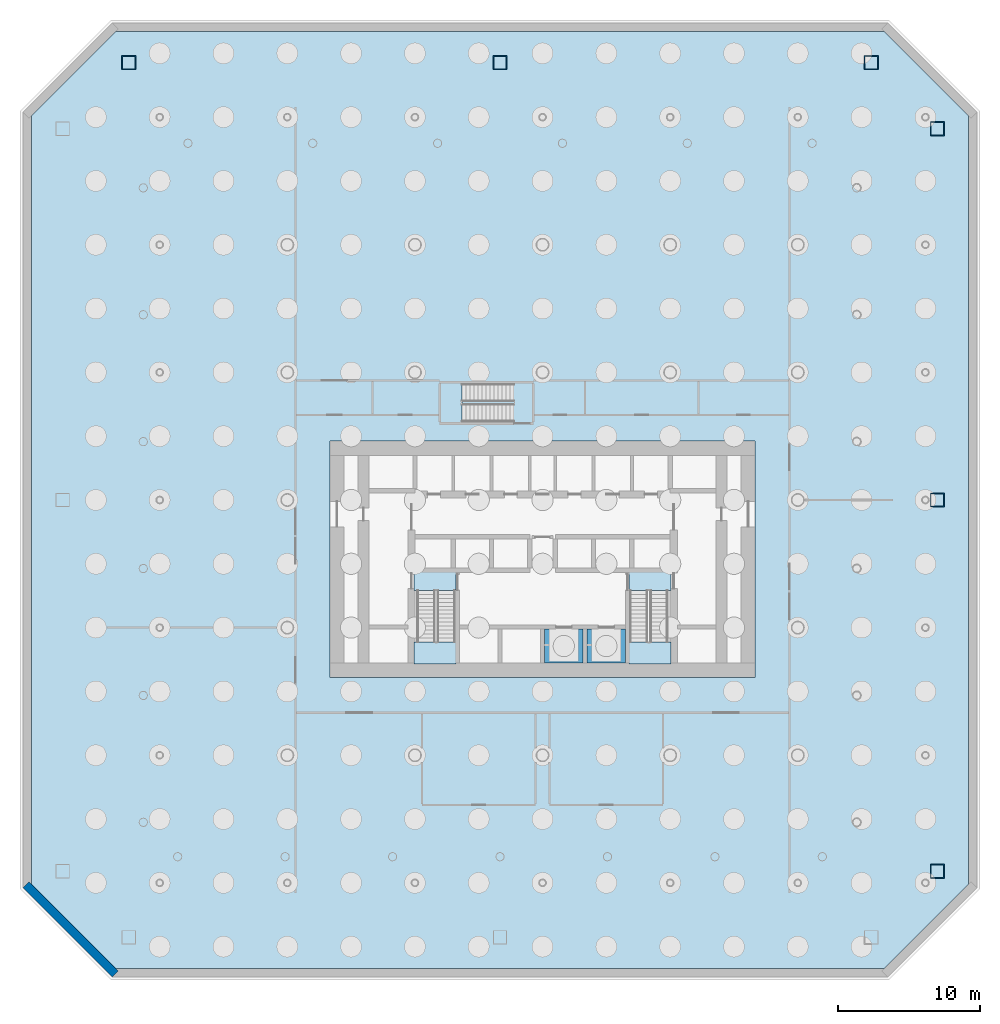
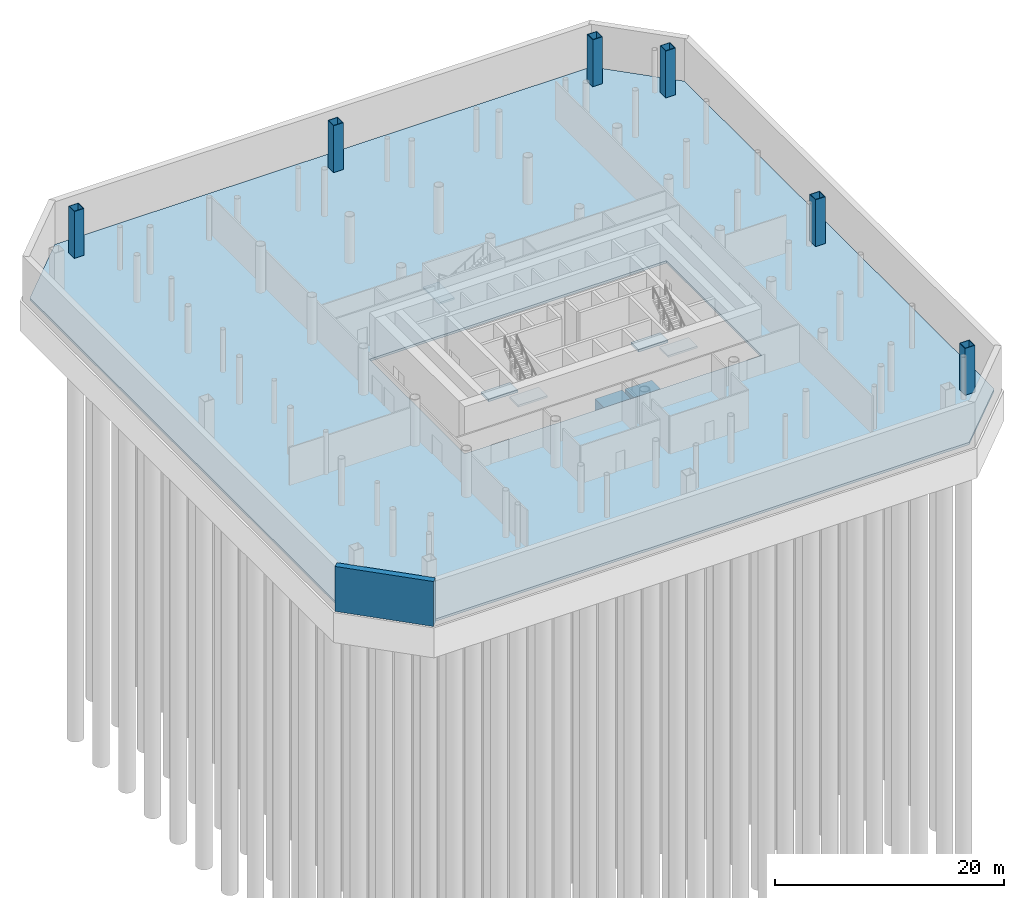
# One storey, part 4 of 10: 8 slabs, 6 columns, 1 wall, 3 elements without a shape of their own.
"""IFC4 building model written with IfcOpenShell, lengths in metres."""

from ifc_helpers import new_model, si_unit, direction, frame, frame_2d, origin, origin_2d, place, context, subcontext, project, spatial, polyline, rectangle, hollow_rectangle, outline, extrude, material, layer, layer_set, material_profile, profile_set, type_object, element, aggregate, save


model = new_model("IFC4")

# Units and contexts
model_context = context("Model", 3, precision=1e-05, world=origin(), true_north=direction((0.0, 1.0)))
body_context = subcontext(model_context, "Body", "Model", "MODEL_VIEW")
ifc_project = project(units=[si_unit("LENGTHUNIT", "METRE"), si_unit("AREAUNIT", "SQUARE_METRE"), si_unit("VOLUMEUNIT", "CUBIC_METRE"), si_unit("PLANEANGLEUNIT", "RADIAN"), si_unit("MASSUNIT", "GRAM", prefix="KILO")], contexts=[model_context])

# Site, building, storey
site_placement = place(None, origin())
site = spatial("IfcSite", under=ifc_project, at=site_placement, CompositionType="ELEMENT")
building_placement = place(site_placement, origin())
building = spatial("IfcBuilding", under=site, at=building_placement, Name="Tskaro Facet Tower", CompositionType="ELEMENT")
storey_placement = place(building_placement, frame((0.0, 0.0, -5.0)))
storey = spatial("IfcBuildingStorey", under=building, at=storey_placement, Name="B1", CompositionType="ELEMENT", Elevation=-5.0)

# Columns
ifc_material_1 = material(Name="Steel S460M", Category="steel")
ifc_material_profile = material_profile(ifc_material_1, hollow_rectangle(XDim=1.0, YDim=1.0, WallThickness=0.06005859375, at=origin_2d()), Name="BOX 1000x1000x60")
ifc_profile_set = profile_set([ifc_material_profile], Name="Steel S460M")
column_type = type_object("IfcColumnType", Name="BOX 1000x1000x60 mega column", PredefinedType="COLUMN", material=ifc_profile_set)
for number, where, z_axis, x_axis, name in (
    (1, (27.85009765625, -26.180908203125, -0.25), (0.0, 0.0, 1.0), (1.0, 0.0, 0.0), "BOX 1000x1000x60 MC04/G"),
    (2, (27.85009765625, 0.0, -0.25), (0.0, 0.0, 1.0), (1.0, 0.0, 0.0), "BOX 1000x1000x60 MC05/G"),
    (3, (27.85009765625, 26.180908203125, -0.25), (0.0, 0.0, 1.0), (1.0, 0.0, 0.0), "BOX 1000x1000x60 MC06/G"),
    (4, (23.180908203125, 30.85009765625, -0.25), (0.0, 0.0, 1.0), (1.0, 0.0, 0.0), "BOX 1000x1000x60 MC07/G"),
    (5, (-3.0, 30.85009765625, -0.25), (0.0, 0.0, 1.0), (1.0, 0.0, 0.0), "BOX 1000x1000x60 MC08/G"),
    (6, (-29.180908203125, 30.85009765625, -0.25), (0.0, 0.0, 1.0), (1.0, 0.0, 0.0), "BOX 1000x1000x60 MC09/G"),
):
    element("IfcColumn", number, at=place(storey_placement, frame(where, z_axis=z_axis, x_axis=x_axis)), inside=storey, type_object=column_type, Name=name, PredefinedType="COLUMN", context=body_context, shape_type="SweptSolid", body=[
        extrude(hollow_rectangle(XDim=1.0, YDim=1.0, WallThickness=0.06005859375, at=origin_2d()), origin(), (0.0, 0.0, 1.0), 5.25),
    ])

# Slabs
ifc_material_2 = material(Name="Concrete C35/45", Category="concrete")
ifc_layer_1 = layer(ifc_material_2, 0.25, Name="Concrete C35/45")
ifc_layer_set_1 = layer_set([ifc_layer_1], Name="Concrete C35/45")
slab_type_1 = type_object("IfcSlabType", Name="Basement slab", PredefinedType="BASESLAB", material=ifc_layer_set_1)
slab_1_placement = place(storey_placement, frame((0.0, 0.0, -0.25)))
element("IfcSlab", 7, at=slab_1_placement, inside=storey, type_object=slab_type_1, Name="Basement slab FS2", PredefinedType="BASESLAB", context=body_context, shape_type="SweptSolid", body=[
    extrude(outline(polyline([(-30.093017578125, -33.050048828125), (24.093017578125, -33.050048828125), (30.050048828125, -27.093017578125), (30.050048828125, 27.093017578125), (24.093017578125, 33.050048828125), (-30.093017578125, 33.050048828125), (-36.050048828125, 27.093017578125), (-36.050048828125, -27.093017578125), (-30.093017578125, -33.050048828125)]), holes=[polyline([(-15.0, -12.5), (15.0, -12.5), (15.0, 4.14990234375), (-15.0, 4.14990234375), (-15.0, -12.5)])]), origin(), (0.0, 0.0, 1.0), 0.25),
])
ifc_layer_2 = layer(ifc_material_2, 1.949951171875, Name="Concrete C35/45")
ifc_layer_set_2 = layer_set([ifc_layer_2], Name="Concrete C35/45")
slab_type_2 = type_object("IfcSlabType", Name="Lift pit slab", PredefinedType="BASESLAB", material=ifc_layer_set_2)
slab_2_placement = place(storey_placement, frame((0.0, 0.0, -3.449951171875)))
element("IfcSlab", 8, at=slab_2_placement, inside=storey, type_object=slab_type_2, Name="Lift pit slab SV1", PredefinedType="BASESLAB", context=body_context, shape_type="SweptSolid", body=[
    extrude(outline(polyline([(0.14990234375, -11.5), (2.85009765625, -11.5), (2.85009765625, -9.10009765625), (0.14990234375, -9.10009765625), (0.14990234375, -11.5)])), origin(), (0.0, 0.0, 1.0), 1.949951171875),
])
slab_3_placement = place(storey_placement, frame((0.0, 0.0, -3.449951171875)))
element("IfcSlab", 9, at=slab_3_placement, inside=storey, type_object=slab_type_2, Name="Lift pit slab SV2", PredefinedType="BASESLAB", context=body_context, shape_type="SweptSolid", body=[
    extrude(outline(polyline([(3.14990234375, -11.5), (5.85009765625, -11.5), (5.85009765625, -9.10009765625), (3.14990234375, -9.10009765625), (3.14990234375, -11.5)])), origin(), (0.0, 0.0, 1.0), 1.949951171875),
])

# Stair, slab
ifc_material_3 = material(Name="Concrete C40/50", Category="concrete")
stair_type = type_object("IfcStairType", Name="ST-TWR", PredefinedType="HALF_TURN_STAIR", material=ifc_material_3)
stair_1_placement = place(storey_placement, origin())
stair_1 = element("IfcStair", 10, at=stair_1_placement, inside=storey, type_object=stair_type, Name="B1 Exit stair 1", PredefinedType="HALF_TURN_STAIR")
ifc_layer_3 = layer(ifc_material_3, 0.199951171875, Name="Concrete C40/50")
ifc_layer_set_3 = layer_set([ifc_layer_3], Name="Concrete C40/50")
slab_type_3 = type_object("IfcSlabType", Name="SL-LANDING", PredefinedType="LANDING", material=ifc_layer_set_3)
slab_4_placement = place(storey_placement, frame((0.0, 0.0, 2.300048828125)))
slab_4 = element("IfcSlab", 11, at=slab_4_placement, type_object=slab_type_3, Name="ST-1 landing 1", PredefinedType="LANDING", context=body_context, shape_type="SweptSolid", body=[
    extrude(outline(polyline([(-9.050048828125, -11.550048828125), (-6.10009765625, -11.550048828125), (-6.10009765625, -10.014892578125), (-9.050048828125, -10.014892578125), (-9.050048828125, -11.550048828125)])), origin(), (0.0, 0.0, 1.0), 0.199951171875),
])
aggregate(stair_1, [slab_4])

stair_2_placement = place(storey_placement, origin())
stair_2 = element("IfcStair", 12, at=stair_2_placement, inside=storey, type_object=stair_type, Name="B1 Exit stair 2", PredefinedType="HALF_TURN_STAIR")
slab_5_placement = place(storey_placement, frame((0.0, 0.0, 2.300048828125)))
slab_5 = element("IfcSlab", 13, at=slab_5_placement, type_object=slab_type_3, Name="ST-2 landing 1", PredefinedType="LANDING", context=body_context, shape_type="SweptSolid", body=[
    extrude(outline(polyline([(6.10009765625, -11.550048828125), (9.050048828125, -11.550048828125), (9.050048828125, -10.014892578125), (6.10009765625, -10.014892578125), (6.10009765625, -11.550048828125)])), origin(), (0.0, 0.0, 1.0), 0.199951171875),
])
aggregate(stair_2, [slab_5])

stair_3_placement = place(storey_placement, origin())
stair_3 = element("IfcStair", 14, at=stair_3_placement, inside=storey, type_object=stair_type, Name="B1 Exit stair 3", PredefinedType="HALF_TURN_STAIR")
slab_6_placement = place(storey_placement, frame((0.0, 0.0, 2.300048828125)))
slab_6 = element("IfcSlab", 15, at=slab_6_placement, type_object=slab_type_3, Name="ST-3 landing 1", PredefinedType="LANDING", context=body_context, shape_type="SweptSolid", body=[
    extrude(outline(polyline([(-7.199951171875, 5.449951171875), (-5.6650390625, 5.449951171875), (-5.6650390625, 8.25), (-7.199951171875, 8.25), (-7.199951171875, 5.449951171875)])), origin(), (0.0, 0.0, 1.0), 0.199951171875),
])
aggregate(stair_3, [slab_6])

# Slabs
ifc_material_4 = material(Name="Concrete C60/75", Category="concrete")
ifc_layer_4 = layer(ifc_material_4, 0.300048828125, Name="Concrete C60/75")
ifc_layer_set_4 = layer_set([ifc_layer_4], Name="Concrete C60/75")
slab_type_4 = type_object("IfcSlabType", Name="SLAB-CORE", PredefinedType="FLOOR", material=ifc_layer_set_4)
slab_7_placement = place(storey_placement, frame((0.0, 0.0, -0.25)))
element("IfcSlab", 16, at=slab_7_placement, inside=storey, type_object=slab_type_4, Name="Stair 1 floor landing basement", PredefinedType="FLOOR", context=body_context, shape_type="SweptSolid", body=[
    extrude(outline(polyline([(-9.050048828125, -6.39501953125), (-6.10009765625, -6.39501953125), (-6.10009765625, -5.050048828125), (-9.050048828125, -5.050048828125), (-9.050048828125, -6.39501953125)])), origin(), (0.0, 0.0, 1.0), 0.25),
])
slab_8_placement = place(storey_placement, frame((0.0, 0.0, -0.25)))
element("IfcSlab", 17, at=slab_8_placement, inside=storey, type_object=slab_type_4, Name="Stair 2 floor landing basement", PredefinedType="FLOOR", context=body_context, shape_type="SweptSolid", body=[
    extrude(outline(polyline([(6.10009765625, -6.39501953125), (9.050048828125, -6.39501953125), (9.050048828125, -5.050048828125), (6.10009765625, -5.050048828125), (6.10009765625, -6.39501953125)])), origin(), (0.0, 0.0, 1.0), 0.25),
])

# Wall
ifc_layer_5 = layer(ifc_material_3, 0.60009765625, Name="Concrete C40/50")
ifc_layer_set_5 = layer_set([ifc_layer_5], Name="Concrete C40/50")
wall_type = type_object("IfcWallType", Name="Basement retaining wall", PredefinedType="SOLIDWALL", material=ifc_layer_set_5)
wall_placement = place(storey_placement, frame((-36.43798828125, -27.12890625, -0.25), z_axis=(0.0, 0.0, 1.0), x_axis=(0.707106781187, -0.707106781187, 0.0)))
element("IfcWall", 18, at=wall_placement, inside=storey, type_object=wall_type, Name="Basement retaining wall BW8", PredefinedType="SOLIDWALL", context=body_context, shape_type="SweptSolid", body=[
    extrude(rectangle(XDim=8.92236328125, YDim=0.60009765625, at=frame_2d((4.461181640625, 0.0))), origin(), (0.0, 0.0, 1.0), 4.800048828125),
])

save(model, "model.ifc")
